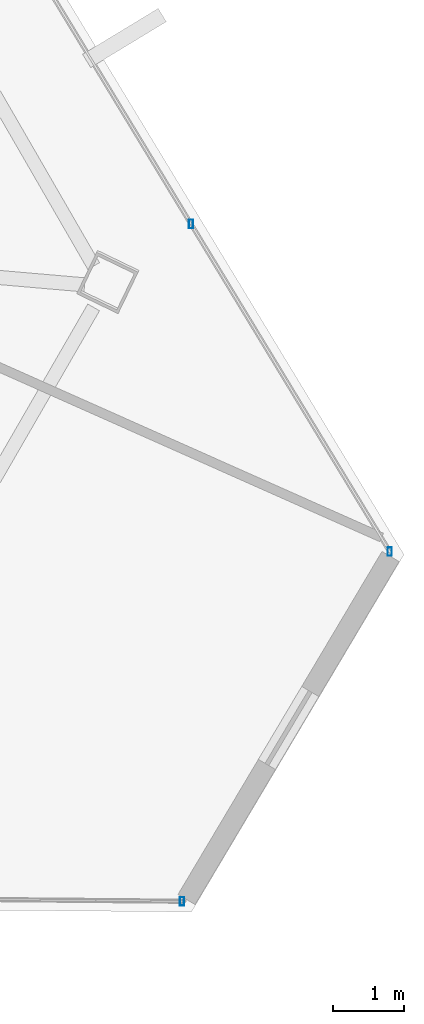
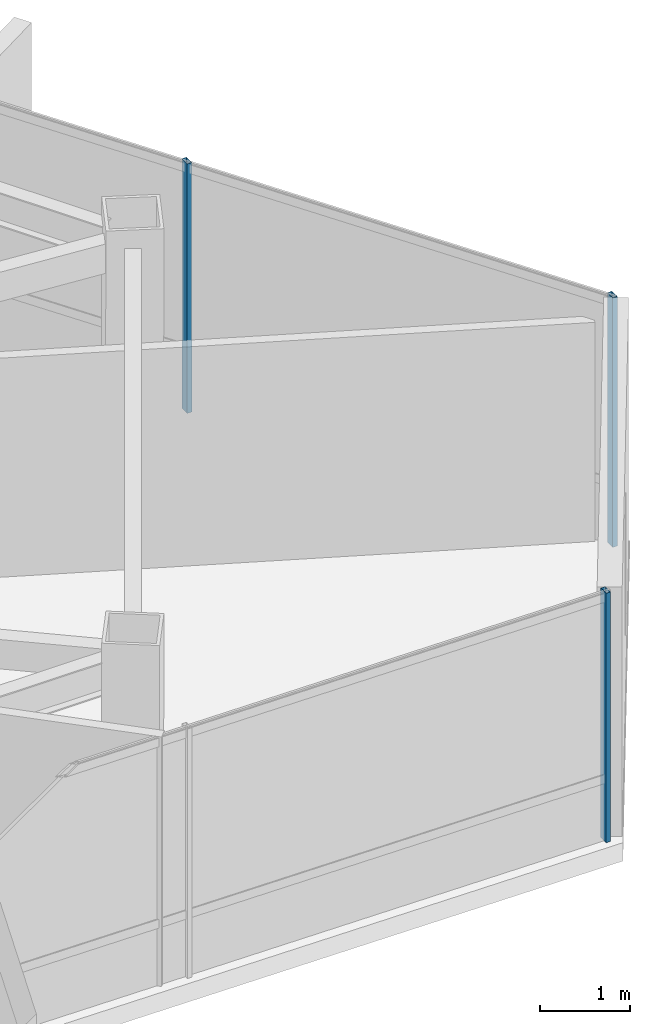
# One storey, part 24 of 42: 3 members, 2 elements without a shape of their own.
"""IFC4 building model written with IfcOpenShell, lengths in metres."""

from ifc_helpers import new_model, si_unit, direction, frame, origin, origin_2d, place, context, subcontext, project, spatial, hollow_rectangle, extrude, source, transform, mapped, material, material_profile, profile_set, type_object, type_shapes, element, aggregate, save


model = new_model("IFC4")

# Units and contexts
model_context = context("Model", 3, precision=1e-05, world=origin(), true_north=direction((0.0, 1.0)))
body_context = subcontext(model_context, "Body", "Model", "MODEL_VIEW")
ifc_project = project(units=[si_unit("LENGTHUNIT", "METRE"), si_unit("AREAUNIT", "SQUARE_METRE"), si_unit("VOLUMEUNIT", "CUBIC_METRE"), si_unit("PLANEANGLEUNIT", "RADIAN"), si_unit("MASSUNIT", "GRAM", prefix="KILO")], contexts=[model_context])

# Site, building, storey
site_placement = place(None, origin())
site = spatial("IfcSite", under=ifc_project, at=site_placement, CompositionType="ELEMENT")
building_placement = place(site_placement, origin())
building = spatial("IfcBuilding", under=site, at=building_placement, Name="Caelisora Broadcast Tower", CompositionType="ELEMENT")
storey_placement = place(building_placement, frame((0.0, 0.0, 244.449951171875)))
storey = spatial("IfcBuildingStorey", under=building, at=storey_placement, Name="L64", CompositionType="ELEMENT", Elevation=244.449951171875)

# Curtain wall, members
ifc_material_1 = material(Name="Unitised Aluminium and Low-E Glass Curtain Wall", Category="glass")
curtain_wall_type = type_object("IfcCurtainWallType", Name="CW-Z5", PredefinedType="NOTDEFINED", material=ifc_material_1)
curtain_wall_1_placement = place(storey_placement, origin())
curtain_wall_1 = element("IfcCurtainWall", 1, at=curtain_wall_1_placement, inside=storey, type_object=curtain_wall_type, Name="L64 curtain wall CW-Z5", PredefinedType="NOTDEFINED")
ifc_material_2 = material(Name="Aluminium 6063-T6 Anodised Terracotta Bronze", Category="aluminium")
ifc_material_profile = material_profile(ifc_material_2, hollow_rectangle(XDim=0.06005859375, YDim=0.1201171875, WallThickness=0.0029296875, at=origin_2d()), Name="Aluminium 6063-T6 Anodised Terracotta Bronze")
ifc_profile_set = profile_set([ifc_material_profile], Name="Aluminium 6063-T6 Anodised Terracotta Bronze")
member_type = type_object("IfcMemberType", Name="CWM-04", PredefinedType="MULLION", material=ifc_profile_set)
shared_shape = source(origin(), body_context, "Body", "SweptSolid", [
    extrude(hollow_rectangle(XDim=0.06005859375, YDim=0.1201171875, WallThickness=0.0029296875, at=origin_2d()), origin(), (0.0, 0.0, 1.0), 3.400146484375),
])
type_shapes(member_type, [shared_shape])
member_1_placement = place(storey_placement, frame((60.853759765625, 17.05859375, 0.0), z_axis=(0.0, 0.0, 1.0), x_axis=(1.0, 0.0, 0.0)))
member_1 = element("IfcMember", 2, at=member_1_placement, type_object=member_type, Name="L64-CW-B03 mullion #2", PredefinedType="MULLION", context=body_context, shape_type="MappedRepresentation", body=[
    mapped(shared_shape, transform((0.0, 0.0, 0.0), scale=1.0)),
])
member_2_placement = place(storey_placement, frame((63.6640625, 12.4267578125, 0.0), z_axis=(0.0, 0.0, 1.0), x_axis=(1.0, 0.0, 0.0)))
member_2 = element("IfcMember", 3, at=member_2_placement, type_object=member_type, Name="L64-CW-B03 mullion #3", PredefinedType="MULLION", context=body_context, shape_type="MappedRepresentation", body=[
    mapped(shared_shape, transform((0.0, 0.0, 0.0), scale=1.0)),
])
aggregate(curtain_wall_1, [member_1, member_2])

# Curtain wall, member
curtain_wall_2_placement = place(storey_placement, origin())
curtain_wall_2 = element("IfcCurtainWall", 4, at=curtain_wall_2_placement, inside=storey, type_object=curtain_wall_type, Name="L64 curtain wall CW-Z5", PredefinedType="NOTDEFINED")
member_3_placement = place(storey_placement, frame((60.72607421875, 7.484619140625, 0.0), z_axis=(0.0, 0.0, 1.0), x_axis=(1.0, 0.0, 0.0)))
member_3 = element("IfcMember", 5, at=member_3_placement, type_object=member_type, Name="L64-CW-B05 mullion #0", PredefinedType="MULLION", context=body_context, shape_type="MappedRepresentation", body=[
    mapped(shared_shape, transform((0.0, 0.0, 0.0), scale=1.0)),
])
aggregate(curtain_wall_2, [member_3])

save(model, "model.ifc")
